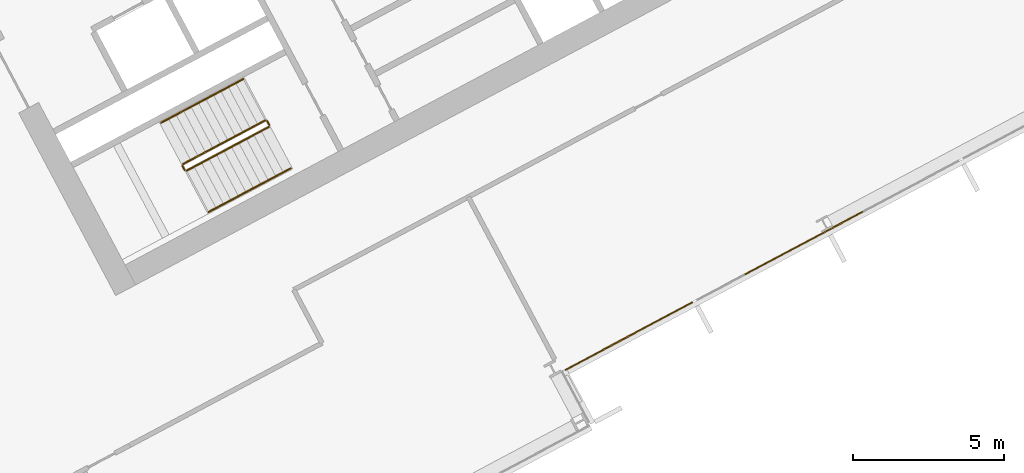
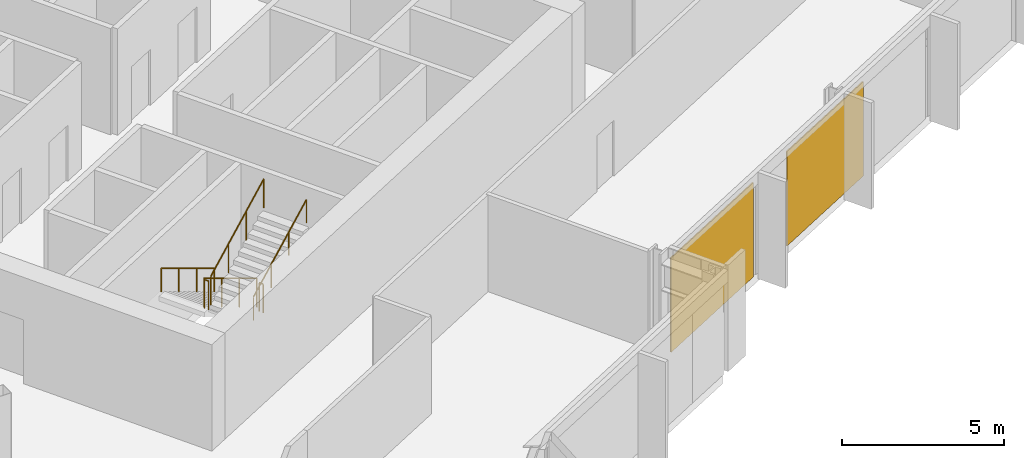
# One storey, part 25 of 28: 6 railings, 2 coverings, 1 element without a shape of its own.
"""IFC4 building model written with IfcOpenShell, lengths in metres."""

from ifc_helpers import new_model, si_unit, direction, frame, origin, origin_2d, place, context, subcontext, project, spatial, polyline, rectangle, outline, extrude, material, layer, layer_set, type_object, element, aggregate, save


model = new_model("IFC4")

# Units and contexts
model_context = context("Model", 3, precision=1e-05, world=origin(), true_north=direction((0.0, 1.0)))
body_context = subcontext(model_context, "Body", "Model", "MODEL_VIEW")
ifc_project = project(units=[si_unit("LENGTHUNIT", "METRE"), si_unit("AREAUNIT", "SQUARE_METRE"), si_unit("VOLUMEUNIT", "CUBIC_METRE"), si_unit("PLANEANGLEUNIT", "RADIAN"), si_unit("MASSUNIT", "GRAM", prefix="KILO")], contexts=[model_context])

# Site, building, storey
site_placement = place(None, origin())
site = spatial("IfcSite", under=ifc_project, at=site_placement, CompositionType="ELEMENT")
building_placement = place(site_placement, origin())
building = spatial("IfcBuilding", under=site, at=building_placement, Name="Cormorant Relay Tower", CompositionType="ELEMENT")
storey_placement = place(building_placement, frame((0.0, 0.0, 158.199951171875)))
storey = spatial("IfcBuildingStorey", under=building, at=storey_placement, Name="L33", CompositionType="ELEMENT", Elevation=158.199951171875)

# Curtain wall, coverings
ifc_material_1 = material(Name="Aluminium 6063-T6 anodised bronze", Category="aluminium")
ifc_layer_1 = layer(ifc_material_1, 0.199951171875)
ifc_layer_set_1 = layer_set([ifc_layer_1], Name="CW1 unitised bronze curtain wall with vertical fins")
curtain_wall_type = type_object("IfcCurtainWallType", Name="CW1 unitised bronze curtain wall with vertical fins", PredefinedType="NOTDEFINED", material=ifc_layer_set_1)
curtain_wall_placement = place(storey_placement, origin())
curtain_wall = element("IfcCurtainWall", 1, at=curtain_wall_placement, inside=storey, type_object=curtain_wall_type, Name="CW1 curtain wall 4", PredefinedType="NOTDEFINED")
ifc_material_2 = material(Name="Pale bronze anodised aluminium insulated panel", Category="aluminium")
ifc_layer_2 = layer(ifc_material_2, 0.0400390625)
ifc_layer_set_2 = layer_set([ifc_layer_2], Name="CW1 pale bronze insulated panel 40")
covering_type = type_object("IfcCoveringType", Name="CW1 pale bronze insulated panel 40", PredefinedType="CLADDING", material=ifc_layer_set_2)
covering_1_placement = place(storey_placement, frame((35.892333984375, -2.457275390625, 0.0), z_axis=(0.0, 0.0, 1.0), x_axis=(0.882947592859, 0.469471562786, 0.0)))
covering_1 = element("IfcCovering", 2, at=covering_1_placement, type_object=covering_type, Name="CW1 panel S00", PredefinedType="CLADDING", context=body_context, shape_type="SweptSolid", body=[
    extrude(rectangle(XDim=4.77490234375, YDim=0.0400390625, at=origin_2d()), origin(), (0.0, 0.0, 1.0), 3.550048828125),
])
covering_2_placement = place(storey_placement, frame((41.686767578125, 0.623779296875, 0.0), z_axis=(0.0, 0.0, 1.0), x_axis=(0.882947592859, 0.469471562786, 0.0)))
covering_2 = element("IfcCovering", 3, at=covering_2_placement, type_object=covering_type, Name="CW1 panel S02", PredefinedType="CLADDING", context=body_context, shape_type="SweptSolid", body=[
    extrude(rectangle(XDim=4.449951171875, YDim=0.0400390625, at=origin_2d()), origin(), (0.0, 0.0, 1.0), 3.550048828125),
])
aggregate(curtain_wall, [covering_1, covering_2])

# Railings
ifc_material_3 = material(Name="Steel ASTM A572 Grade 50 (Fy 345 MPa)", Category="steel")
railing_type_1 = type_object("IfcRailingType", Name="Stair guard 1100", PredefinedType="GUARDRAIL", material=ifc_material_3)
railing_1_placement = place(storey_placement, frame((23.83837890625, 4.6904296875, 0.166748046875)))
element("IfcRailing", 4, at=railing_1_placement, inside=storey, type_object=railing_type_1, Name="L33 B1 stair guard 1", PredefinedType="GUARDRAIL", context=body_context, shape_type="SweptSolid", body=[
    extrude(outline(polyline([(0.022216796875, 0.00927734375), (0.00927734375, 0.022216796875), (-0.00927734375, 0.022216796875), (-0.022216796875, 0.00927734375), (-0.022216796875, -0.00927734375), (-0.00927734375, -0.022216796875), (0.00927734375, -0.022216796875), (0.022216796875, -0.00927734375), (0.022216796875, 0.00927734375)])), frame((0.0, 0.0, 1.076171875), z_axis=(-0.758713656843, -0.403434867536, 0.511462505542), x_axis=(0.469489399267, -0.882938108802, 0.0)), (0.0, 0.0, 1.0), 3.584228515625),
    extrude(outline(polyline([(0.019287109375, 0.008056640625), (0.008056640625, 0.019287109375), (-0.008056640625, 0.019287109375), (-0.019287109375, 0.008056640625), (-0.019287109375, -0.008056640625), (-0.008056640625, -0.019287109375), (0.008056640625, -0.019287109375), (0.019287109375, -0.008056640625), (0.019287109375, 0.008056640625)])), origin(), (0.0, 0.0, 1.0), 1.052001953125),
    extrude(outline(polyline([(0.019287109375, 0.008056640625), (0.008056640625, 0.019287109375), (-0.008056640625, 0.019287109375), (-0.019287109375, 0.008056640625), (-0.019287109375, -0.008056640625), (-0.008056640625, -0.019287109375), (0.008056640625, -0.019287109375), (0.019287109375, -0.008056640625), (0.019287109375, 0.008056640625)])), frame((-0.906494140625, -0.48193359375, 0.611083984375)), (0.0, 0.0, 1.0), 1.052001953125),
    extrude(outline(polyline([(0.019287109375, 0.008056640625), (0.008056640625, 0.019287109375), (-0.008056640625, 0.019287109375), (-0.019287109375, 0.008056640625), (-0.019287109375, -0.008056640625), (-0.008056640625, -0.019287109375), (0.008056640625, -0.019287109375), (0.019287109375, -0.008056640625), (0.019287109375, 0.008056640625)])), frame((-1.81298828125, -0.964111328125, 1.22216796875)), (0.0, 0.0, 1.0), 1.052001953125),
    extrude(outline(polyline([(0.019287109375, 0.008056640625), (0.008056640625, 0.019287109375), (-0.008056640625, 0.019287109375), (-0.019287109375, 0.008056640625), (-0.019287109375, -0.008056640625), (-0.008056640625, -0.019287109375), (0.008056640625, -0.019287109375), (0.019287109375, -0.008056640625), (0.019287109375, 0.008056640625)])), frame((-2.719482421875, -1.446044921875, 1.833251953125)), (0.0, 0.0, 1.0), 1.052001953125),
])
railing_2_placement = place(storey_placement, frame((21.09814453125, 3.1767578125, 2.0)))
element("IfcRailing", 5, at=railing_2_placement, inside=storey, type_object=railing_type_1, Name="L33 B1 stair guard 2", PredefinedType="GUARDRAIL", context=body_context, shape_type="SweptSolid", body=[
    extrude(outline(polyline([(0.022216796875, 0.00927734375), (0.00927734375, 0.022216796875), (-0.00927734375, 0.022216796875), (-0.022216796875, 0.00927734375), (-0.022216796875, -0.00927734375), (-0.00927734375, -0.022216796875), (0.00927734375, -0.022216796875), (0.022216796875, -0.00927734375), (0.022216796875, 0.00927734375)])), frame((0.0, 0.0, 1.076171875), z_axis=(0.469234640946, -0.883073525669, 0.0), x_axis=(0.883073525669, 0.469234640946, 0.0)), (0.0, 0.0, 1.0), 0.14990234375),
    extrude(outline(polyline([(0.019287109375, 0.008056640625), (0.008056640625, 0.019287109375), (-0.008056640625, 0.019287109375), (-0.019287109375, 0.008056640625), (-0.019287109375, -0.008056640625), (-0.008056640625, -0.019287109375), (0.008056640625, -0.019287109375), (0.019287109375, -0.008056640625), (0.019287109375, 0.008056640625)])), origin(), (0.0, 0.0, 1.0), 1.052001953125),
    extrude(outline(polyline([(0.019287109375, 0.008056640625), (0.008056640625, 0.019287109375), (-0.008056640625, 0.019287109375), (-0.019287109375, 0.008056640625), (-0.019287109375, -0.008056640625), (-0.008056640625, -0.019287109375), (0.008056640625, -0.019287109375), (0.019287109375, -0.008056640625), (0.019287109375, 0.008056640625)])), frame((0.0703125, -0.13232421875, 0.0)), (0.0, 0.0, 1.0), 1.052001953125),
])
railing_3_placement = place(storey_placement, frame((21.236083984375, 3.023681640625, 2.166748046875)))
element("IfcRailing", 6, at=railing_3_placement, inside=storey, type_object=railing_type_1, Name="L33 B1 stair guard 3", PredefinedType="GUARDRAIL", context=body_context, shape_type="SweptSolid", body=[
    extrude(outline(polyline([(0.022216796875, 0.00927734375), (0.00927734375, 0.022216796875), (-0.00927734375, 0.022216796875), (-0.022216796875, 0.00927734375), (-0.022216796875, -0.00927734375), (-0.00927734375, -0.022216796875), (0.00927734375, -0.022216796875), (0.022216796875, -0.00927734375), (0.022216796875, 0.00927734375)])), frame((0.0, 0.0, 1.076171875), z_axis=(0.758713656843, 0.403434867536, 0.511462505542), x_axis=(-0.469489399267, 0.882938108802, 0.0)), (0.0, 0.0, 1.0), 3.584228515625),
    extrude(outline(polyline([(0.019287109375, 0.008056640625), (0.008056640625, 0.019287109375), (-0.008056640625, 0.019287109375), (-0.019287109375, 0.008056640625), (-0.019287109375, -0.008056640625), (-0.008056640625, -0.019287109375), (0.008056640625, -0.019287109375), (0.019287109375, -0.008056640625), (0.019287109375, 0.008056640625)])), origin(), (0.0, 0.0, 1.0), 1.052001953125),
    extrude(outline(polyline([(0.019287109375, 0.008056640625), (0.008056640625, 0.019287109375), (-0.008056640625, 0.019287109375), (-0.019287109375, 0.008056640625), (-0.019287109375, -0.008056640625), (-0.008056640625, -0.019287109375), (0.008056640625, -0.019287109375), (0.019287109375, -0.008056640625), (0.019287109375, 0.008056640625)])), frame((0.906494140625, 0.48193359375, 0.611083984375)), (0.0, 0.0, 1.0), 1.052001953125),
    extrude(outline(polyline([(0.019287109375, 0.008056640625), (0.008056640625, 0.019287109375), (-0.008056640625, 0.019287109375), (-0.019287109375, 0.008056640625), (-0.019287109375, -0.008056640625), (-0.008056640625, -0.019287109375), (0.008056640625, -0.019287109375), (0.019287109375, -0.008056640625), (0.019287109375, 0.008056640625)])), frame((1.81298828125, 0.964111328125, 1.22216796875)), (0.0, 0.0, 1.0), 1.052001953125),
    extrude(outline(polyline([(0.019287109375, 0.008056640625), (0.008056640625, 0.019287109375), (-0.008056640625, 0.019287109375), (-0.019287109375, 0.008056640625), (-0.019287109375, -0.008056640625), (-0.008056640625, -0.019287109375), (0.008056640625, -0.019287109375), (0.019287109375, -0.008056640625), (0.019287109375, 0.008056640625)])), frame((2.719482421875, 1.446044921875, 1.833251953125)), (0.0, 0.0, 1.0), 1.052001953125),
])
railing_4_placement = place(storey_placement, frame((23.906005859375, 4.669677734375, 0.0)))
element("IfcRailing", 7, at=railing_4_placement, inside=storey, type_object=railing_type_1, Name="L33 B1 stair guard 4", PredefinedType="GUARDRAIL", context=body_context, shape_type="SweptSolid", body=[
    extrude(outline(polyline([(0.022216796875, 0.00927734375), (0.00927734375, 0.022216796875), (-0.00927734375, 0.022216796875), (-0.022216796875, 0.00927734375), (-0.022216796875, -0.00927734375), (-0.00927734375, -0.022216796875), (0.00927734375, -0.022216796875), (0.022216796875, -0.00927734375), (0.022216796875, 0.00927734375)])), frame((0.0, 0.0, 1.076171875), z_axis=(0.469234640946, -0.883073525669, 0.0), x_axis=(0.883073525669, 0.469234640946, 0.0)), (0.0, 0.0, 1.0), 0.14990234375),
    extrude(outline(polyline([(0.019287109375, 0.008056640625), (0.008056640625, 0.019287109375), (-0.008056640625, 0.019287109375), (-0.019287109375, 0.008056640625), (-0.019287109375, -0.008056640625), (-0.008056640625, -0.019287109375), (0.008056640625, -0.019287109375), (0.019287109375, -0.008056640625), (0.019287109375, 0.008056640625)])), origin(), (0.0, 0.0, 1.0), 1.052001953125),
    extrude(outline(polyline([(0.019287109375, 0.008056640625), (0.008056640625, 0.019287109375), (-0.008056640625, 0.019287109375), (-0.019287109375, 0.008056640625), (-0.019287109375, -0.008056640625), (-0.008056640625, -0.019287109375), (0.008056640625, -0.019287109375), (0.019287109375, -0.008056640625), (0.019287109375, 0.008056640625)])), frame((0.0703125, -0.13232421875, 0.0)), (0.0, 0.0, 1.0), 1.052001953125),
])
ifc_material_4 = material(Name="Steel ASTM A572 Grade 50 (Fy 345 MPa)", Category="steel")
railing_type_2 = type_object("IfcRailingType", Name="Stair handrail 900", PredefinedType="HANDRAIL", material=ifc_material_4)
railing_5_placement = place(storey_placement, frame((23.110595703125, 6.05908203125, 0.166748046875)))
element("IfcRailing", 8, at=railing_5_placement, inside=storey, type_object=railing_type_2, Name="L33 B1 stair handrail 1", PredefinedType="HANDRAIL", context=body_context, shape_type="SweptSolid", body=[
    extrude(outline(polyline([(0.022216796875, 0.00927734375), (0.00927734375, 0.022216796875), (-0.00927734375, 0.022216796875), (-0.022216796875, 0.00927734375), (-0.022216796875, -0.00927734375), (-0.00927734375, -0.022216796875), (0.00927734375, -0.022216796875), (0.022216796875, -0.00927734375), (0.022216796875, 0.00927734375)])), frame((0.0, 0.0, 0.8759765625), z_axis=(-0.758713656843, -0.403434867536, 0.511462505542), x_axis=(0.469489399267, -0.882938108802, 0.0)), (0.0, 0.0, 1.0), 3.584228515625),
    extrude(outline(polyline([(0.019287109375, 0.008056640625), (0.008056640625, 0.019287109375), (-0.008056640625, 0.019287109375), (-0.019287109375, 0.008056640625), (-0.019287109375, -0.008056640625), (-0.008056640625, -0.019287109375), (0.008056640625, -0.019287109375), (0.019287109375, -0.008056640625), (0.019287109375, 0.008056640625)])), origin(), (0.0, 0.0, 1.0), 0.851806640625),
    extrude(outline(polyline([(0.019287109375, 0.008056640625), (0.008056640625, 0.019287109375), (-0.008056640625, 0.019287109375), (-0.019287109375, 0.008056640625), (-0.019287109375, -0.008056640625), (-0.008056640625, -0.019287109375), (0.008056640625, -0.019287109375), (0.019287109375, -0.008056640625), (0.019287109375, 0.008056640625)])), frame((-0.906494140625, -0.48193359375, 0.611083984375)), (0.0, 0.0, 1.0), 0.851806640625),
    extrude(outline(polyline([(0.019287109375, 0.008056640625), (0.008056640625, 0.019287109375), (-0.008056640625, 0.019287109375), (-0.019287109375, 0.008056640625), (-0.019287109375, -0.008056640625), (-0.008056640625, -0.019287109375), (0.008056640625, -0.019287109375), (0.019287109375, -0.008056640625), (0.019287109375, 0.008056640625)])), frame((-1.81298828125, -0.964111328125, 1.22216796875)), (0.0, 0.0, 1.0), 0.851806640625),
    extrude(outline(polyline([(0.019287109375, 0.008056640625), (0.008056640625, 0.019287109375), (-0.008056640625, 0.019287109375), (-0.019287109375, 0.008056640625), (-0.019287109375, -0.008056640625), (-0.008056640625, -0.019287109375), (0.008056640625, -0.019287109375), (0.019287109375, -0.008056640625), (0.019287109375, 0.008056640625)])), frame((-2.719482421875, -1.446044921875, 1.833251953125)), (0.0, 0.0, 1.0), 0.851806640625),
])
railing_6_placement = place(storey_placement, frame((21.9638671875, 1.6552734375, 2.166748046875)))
element("IfcRailing", 9, at=railing_6_placement, inside=storey, type_object=railing_type_2, Name="L33 B1 stair handrail 2", PredefinedType="HANDRAIL", context=body_context, shape_type="SweptSolid", body=[
    extrude(outline(polyline([(0.022216796875, 0.00927734375), (0.00927734375, 0.022216796875), (-0.00927734375, 0.022216796875), (-0.022216796875, 0.00927734375), (-0.022216796875, -0.00927734375), (-0.00927734375, -0.022216796875), (0.00927734375, -0.022216796875), (0.022216796875, -0.00927734375), (0.022216796875, 0.00927734375)])), frame((0.0, 0.0, 0.8759765625), z_axis=(0.758734504837, 0.403377838015, 0.511476559549), x_axis=(-0.469427602063, 0.882970965786, 0.0)), (0.0, 0.0, 1.0), 3.584228515625),
    extrude(outline(polyline([(0.019287109375, 0.008056640625), (0.008056640625, 0.019287109375), (-0.008056640625, 0.019287109375), (-0.019287109375, 0.008056640625), (-0.019287109375, -0.008056640625), (-0.008056640625, -0.019287109375), (0.008056640625, -0.019287109375), (0.019287109375, -0.008056640625), (0.019287109375, 0.008056640625)])), origin(), (0.0, 0.0, 1.0), 0.851806640625),
    extrude(outline(polyline([(0.019287109375, 0.008056640625), (0.008056640625, 0.019287109375), (-0.008056640625, 0.019287109375), (-0.019287109375, 0.008056640625), (-0.019287109375, -0.008056640625), (-0.008056640625, -0.019287109375), (0.008056640625, -0.019287109375), (0.019287109375, -0.008056640625), (0.019287109375, 0.008056640625)])), frame((0.906494140625, 0.48193359375, 0.611083984375)), (0.0, 0.0, 1.0), 0.851806640625),
    extrude(outline(polyline([(0.019287109375, 0.008056640625), (0.008056640625, 0.019287109375), (-0.008056640625, 0.019287109375), (-0.019287109375, 0.008056640625), (-0.019287109375, -0.008056640625), (-0.008056640625, -0.019287109375), (0.008056640625, -0.019287109375), (0.019287109375, -0.008056640625), (0.019287109375, 0.008056640625)])), frame((1.81298828125, 0.9638671875, 1.22216796875)), (0.0, 0.0, 1.0), 0.851806640625),
    extrude(outline(polyline([(0.019287109375, 0.008056640625), (0.008056640625, 0.019287109375), (-0.008056640625, 0.019287109375), (-0.019287109375, 0.008056640625), (-0.019287109375, -0.008056640625), (-0.008056640625, -0.019287109375), (0.008056640625, -0.019287109375), (0.019287109375, -0.008056640625), (0.019287109375, 0.008056640625)])), frame((2.719482421875, 1.44580078125, 1.833251953125)), (0.0, 0.0, 1.0), 0.851806640625),
])

save(model, "model.ifc")
